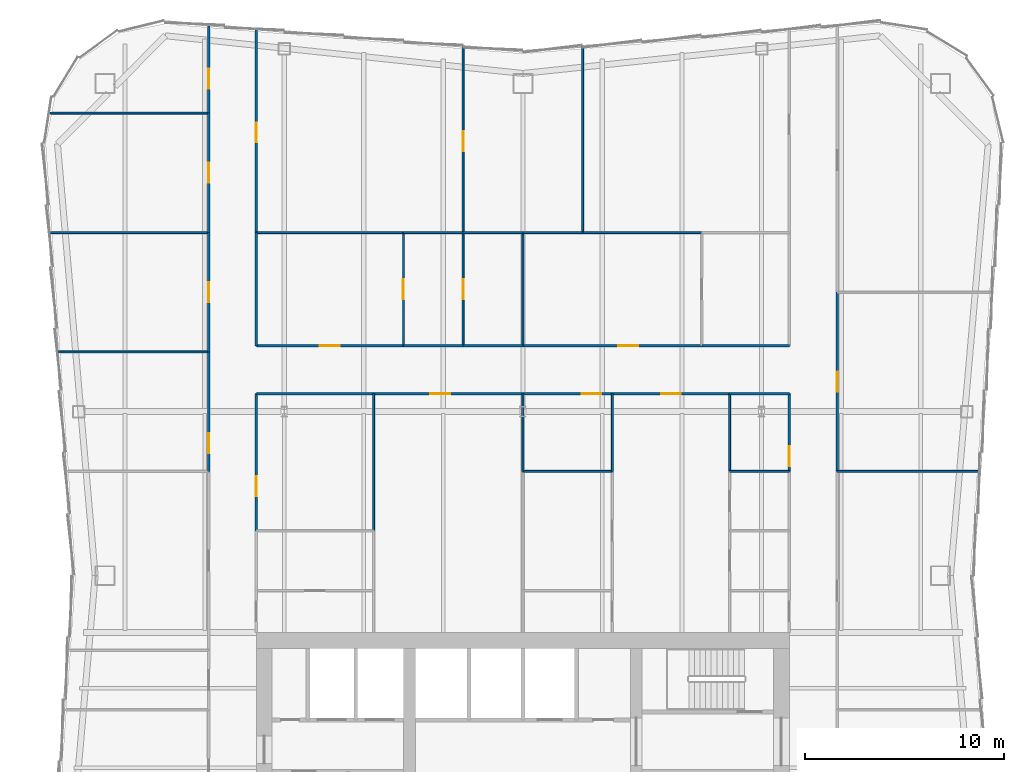
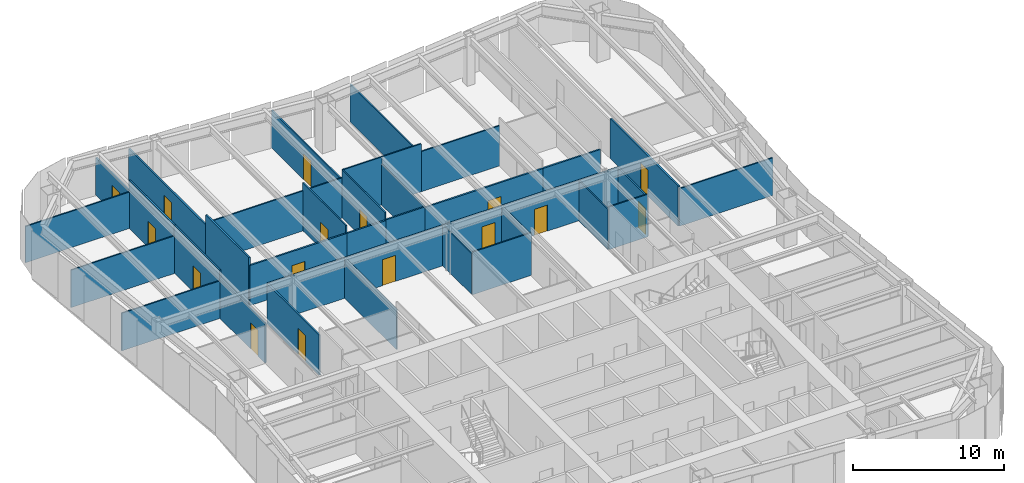
# One storey, part 9 of 12: 39 walls, 16 doors, 16 openings.
"""IFC4 building model written with IfcOpenShell, lengths in metres."""

from ifc_helpers import new_model, si_unit, direction, frame, frame_2d, origin, place, context, subcontext, project, spatial, rectangle, extrude, material, layer, layer_set, type_object, element, fill, save


model = new_model("IFC4")

# Units and contexts
model_context = context("Model", 3, precision=1e-05, world=origin(), true_north=direction((0.0, 1.0)))
body_context = subcontext(model_context, "Body", "Model", "MODEL_VIEW")
ifc_project = project(units=[si_unit("LENGTHUNIT", "METRE"), si_unit("AREAUNIT", "SQUARE_METRE"), si_unit("VOLUMEUNIT", "CUBIC_METRE"), si_unit("PLANEANGLEUNIT", "RADIAN"), si_unit("MASSUNIT", "GRAM", prefix="KILO")], contexts=[model_context])

# Site, building, storey
site_placement = place(None, origin())
site = spatial("IfcSite", under=ifc_project, at=site_placement, CompositionType="ELEMENT")
building_placement = place(site_placement, origin())
building = spatial("IfcBuilding", under=site, at=building_placement, Name="Verdant Reach Tower", CompositionType="ELEMENT")
storey_placement = place(building_placement, frame((0.0, 0.0, 270.0)))
storey = spatial("IfcBuildingStorey", under=building, at=storey_placement, Name="L62", CompositionType="ELEMENT", Elevation=270.0)

# Walls
ifc_material_1 = material(Name="Gypsum board on steel studs", Category="steel")
ifc_layer_1 = layer(ifc_material_1, 0.10009765625)
ifc_layer_set_1 = layer_set([ifc_layer_1], Name="FL-W1 Partition 100")
wall_type_1 = type_object("IfcWallType", Name="FL-W1 Partition 100", PredefinedType="PARTITIONING", material=ifc_layer_set_1)
wall_1_placement = place(storey_placement, frame((-15.800048828125, 52.5, 0.0), z_axis=(0.0, 0.0, 1.0), x_axis=(-1.0, 0.0, 0.0)))
element("IfcWall", 1, at=wall_1_placement, inside=storey, type_object=wall_type_1, Name="Partition 62.46", PredefinedType="PARTITIONING", context=body_context, shape_type="SweptSolid", body=[
    extrude(rectangle(XDim=7.555908203125, YDim=0.10009765625, at=frame_2d((3.77783203125, 0.0))), origin(), (0.0, 0.0, 1.0), 3.0400390625),
])
wall_2_placement = place(storey_placement, frame((-15.800048828125, 58.5, 0.0), z_axis=(0.0, 0.0, 1.0), x_axis=(-1.0, 0.0, 0.0)))
element("IfcWall", 2, at=wall_2_placement, inside=storey, type_object=wall_type_1, Name="Partition 62.47", PredefinedType="PARTITIONING", context=body_context, shape_type="SweptSolid", body=[
    extrude(rectangle(XDim=7.9697265625, YDim=0.10009765625, at=frame_2d((3.98486328125, 0.0))), origin(), (0.0, 0.0, 1.0), 3.0400390625),
])
wall_3_placement = place(storey_placement, frame((-15.800048828125, 64.5, 0.0), z_axis=(0.0, 0.0, 1.0), x_axis=(-1.0, 0.0, 0.0)))
element("IfcWall", 3, at=wall_3_placement, inside=storey, type_object=wall_type_1, Name="Partition 62.48", PredefinedType="PARTITIONING", context=body_context, shape_type="SweptSolid", body=[
    extrude(rectangle(XDim=7.9814453125, YDim=0.10009765625, at=frame_2d((3.99072265625, 0.0))), origin(), (0.0, 0.0, 1.0), 2.929931640625),
])
wall_4_placement = place(storey_placement, frame((22.942138671875, 46.5, 0.0), z_axis=(0.0, 0.0, 1.0), x_axis=(-1.0, 0.0, 0.0)))
element("IfcWall", 4, at=wall_4_placement, inside=storey, type_object=wall_type_1, Name="Partition 62.54", PredefinedType="PARTITIONING", context=body_context, shape_type="SweptSolid", body=[
    extrude(rectangle(XDim=7.14208984375, YDim=0.10009765625, at=frame_2d((3.571044921875, 0.0))), origin(), (0.0, 0.0, 1.0), 3.0400390625),
])
wall_5_placement = place(storey_placement, frame((-7.5, 43.49609375, 0.0), z_axis=(0.0, 0.0, 1.0), x_axis=(0.0, 1.0, 0.0)))
element("IfcWall", 5, at=wall_5_placement, inside=storey, type_object=wall_type_1, Name="Partition 62.63", PredefinedType="PARTITIONING", context=body_context, shape_type="SweptSolid", body=[
    extrude(rectangle(XDim=6.90380859375, YDim=0.10009765625, at=frame_2d((3.451904296875, 0.0))), origin(), (0.0, 0.0, 1.0), 3.239990234375),
])
wall_6_placement = place(storey_placement, frame((0.0, 46.5, 0.0), z_axis=(0.0, 0.0, 1.0), x_axis=(0.0, 1.0, 0.0)))
element("IfcWall", 6, at=wall_6_placement, inside=storey, type_object=wall_type_1, Name="Partition 62.66", PredefinedType="PARTITIONING", context=body_context, shape_type="SweptSolid", body=[
    extrude(rectangle(XDim=3.89990234375, YDim=0.10009765625, at=frame_2d((1.949951171875, 0.0))), origin(), (0.0, 0.0, 1.0), 3.2900390625),
])
wall_7_placement = place(storey_placement, frame((13.39990234375, 46.5, 0.0), z_axis=(0.0, 0.0, 1.0), x_axis=(-1.0, 0.0, 0.0)))
element("IfcWall", 7, at=wall_7_placement, inside=storey, type_object=wall_type_1, Name="Partition 62.71", PredefinedType="PARTITIONING", context=body_context, shape_type="SweptSolid", body=[
    extrude(rectangle(XDim=3.0, YDim=0.10009765625, at=frame_2d((1.5, 0.0))), origin(), (0.0, 0.0, 1.0), 3.43994140625),
])
wall_8_placement = place(storey_placement, frame((10.39990234375, 50.39990234375, 0.0), z_axis=(0.0, 0.0, 1.0), x_axis=(0.0, -1.0, 0.0)))
element("IfcWall", 8, at=wall_8_placement, inside=storey, type_object=wall_type_1, Name="Partition 62.73", PredefinedType="PARTITIONING", context=body_context, shape_type="SweptSolid", body=[
    extrude(rectangle(XDim=3.90380859375, YDim=0.10009765625, at=frame_2d((1.951904296875, 0.0))), origin(), (0.0, 0.0, 1.0), 3.239990234375),
])
wall_9_placement = place(storey_placement, frame((4.5, 50.39990234375, 0.0), z_axis=(0.0, 0.0, 1.0), x_axis=(0.0, -1.0, 0.0)))
element("IfcWall", 9, at=wall_9_placement, inside=storey, type_object=wall_type_1, Name="Partition 62.76", PredefinedType="PARTITIONING", context=body_context, shape_type="SweptSolid", body=[
    extrude(rectangle(XDim=3.89990234375, YDim=0.10009765625, at=frame_2d((1.949951171875, 0.0))), origin(), (0.0, 0.0, 1.0), 3.239990234375),
])
wall_10_placement = place(storey_placement, frame((4.5, 46.5, 0.0), z_axis=(0.0, 0.0, 1.0), x_axis=(-1.0, 0.0, 0.0)))
element("IfcWall", 10, at=wall_10_placement, inside=storey, type_object=wall_type_1, Name="Partition 62.78", PredefinedType="PARTITIONING", context=body_context, shape_type="SweptSolid", body=[
    extrude(rectangle(XDim=4.5, YDim=0.10009765625, at=frame_2d((2.25, 0.0))), origin(), (0.0, 0.0, 1.0), 3.43994140625),
])

# Wall, opening, door
wall_11_placement = place(storey_placement, frame((-6.0, 58.5, 0.0), z_axis=(0.0, 0.0, 1.0), x_axis=(0.0, -1.0, 0.0)))
wall_11 = element("IfcWall", 11, at=wall_11_placement, inside=storey, type_object=wall_type_1, Name="Partition 62.79", PredefinedType="PARTITIONING", context=body_context, shape_type="SweptSolid", body=[
    extrude(rectangle(XDim=5.699951171875, YDim=0.10009765625, at=frame_2d((2.85009765625, 0.0))), origin(), (0.0, 0.0, 1.0), 3.8701171875),
])
opening_1_placement = place(wall_11_placement, frame((2.35009765625, 0.0, 0.0)))
opening_1 = element("IfcOpeningElement", 12, at=opening_1_placement, cuts=wall_11, Name="Opening D3", PredefinedType="OPENING", context=body_context, shape_type="SweptSolid", body=[
    extrude(rectangle(XDim=1.0, YDim=2.10009765625, at=frame_2d((0.5, 1.050048828125))), frame((0.0, 0.06005859375, 0.0), z_axis=(0.0, -1.0, 0.0), x_axis=(1.0, 0.0, 0.0)), (0.0, 0.0, 1.0), 0.1201171875),
])
ifc_material_2 = material(Name="Painted timber door leaf", Category="wood")
door_type_1 = type_object("IfcDoorType", Name="FL-D3 Door 1000x2100", OperationType="NOTDEFINED", PredefinedType="DOOR", material=ifc_material_2)
door_1_placement = place(opening_1_placement, origin())
door_1 = element("IfcDoor", 13, at=door_1_placement, inside=storey, type_object=door_type_1, Name="Door 62-038", OperationType="SINGLE_SWING_RIGHT", OverallHeight=2.10009765625, OverallWidth=1.0, PredefinedType="DOOR", context=body_context, shape_type="SweptSolid", body=[
    extrude(rectangle(XDim=1.0, YDim=2.10009765625, at=frame_2d((0.5, 1.050048828125))), frame((0.0, 0.02490234375, 0.0), z_axis=(0.0, -1.0, 0.0), x_axis=(1.0, 0.0, 0.0)), (0.0, 0.0, 1.0), 0.050048828125),
])
fill(opening_1, door_1)

# Wall
wall_12_placement = place(storey_placement, frame((-5.99609375, 58.5, 0.0), z_axis=(0.0, 0.0, 1.0), x_axis=(-1.0, 0.0, 0.0)))
element("IfcWall", 14, at=wall_12_placement, inside=storey, type_object=wall_type_1, Name="Partition 62.80", PredefinedType="PARTITIONING", context=body_context, shape_type="SweptSolid", body=[
    extrude(rectangle(XDim=7.40380859375, YDim=0.10009765625, at=frame_2d((3.701904296875, 0.0))), origin(), (0.0, 0.0, 1.0), 3.239990234375),
])

# Wall, opening, door
wall_13_placement = place(storey_placement, frame((-3.0, 58.5, 0.0), z_axis=(0.0, 0.0, 1.0), x_axis=(0.0, -1.0, 0.0)))
wall_13 = element("IfcWall", 15, at=wall_13_placement, inside=storey, type_object=wall_type_1, Name="Partition 62.81", PredefinedType="PARTITIONING", context=body_context, shape_type="SweptSolid", body=[
    extrude(rectangle(XDim=5.699951171875, YDim=0.10009765625, at=frame_2d((2.85009765625, 0.0))), origin(), (0.0, 0.0, 1.0), 3.8701171875),
])
opening_2_placement = place(wall_13_placement, frame((2.35009765625, 0.0, 0.0)))
opening_2 = element("IfcOpeningElement", 16, at=opening_2_placement, cuts=wall_13, Name="Opening D3", PredefinedType="OPENING", context=body_context, shape_type="SweptSolid", body=[
    extrude(rectangle(XDim=1.0, YDim=2.10009765625, at=frame_2d((0.5, 1.050048828125))), frame((0.0, 0.06005859375, 0.0), z_axis=(0.0, -1.0, 0.0), x_axis=(1.0, 0.0, 0.0)), (0.0, 0.0, 1.0), 0.1201171875),
])
door_2_placement = place(opening_2_placement, origin())
door_2 = element("IfcDoor", 17, at=door_2_placement, inside=storey, type_object=door_type_1, Name="Door 62-039", OperationType="SINGLE_SWING_LEFT", OverallHeight=2.10009765625, OverallWidth=1.0, PredefinedType="DOOR", context=body_context, shape_type="SweptSolid", body=[
    extrude(rectangle(XDim=1.0, YDim=2.10009765625, at=frame_2d((0.5, 1.050048828125))), frame((0.0, 0.02490234375, 0.0), z_axis=(0.0, -1.0, 0.0), x_axis=(1.0, 0.0, 0.0)), (0.0, 0.0, 1.0), 0.050048828125),
])
fill(opening_2, door_2)

# Walls
wall_14_placement = place(storey_placement, frame((-3.0, 58.5, 0.0), z_axis=(0.0, 0.0, 1.0), x_axis=(-1.0, 0.0, 0.0)))
element("IfcWall", 18, at=wall_14_placement, inside=storey, type_object=wall_type_1, Name="Partition 62.82", PredefinedType="PARTITIONING", context=body_context, shape_type="SweptSolid", body=[
    extrude(rectangle(XDim=3.00390625, YDim=0.10009765625, at=frame_2d((1.501953125, 0.0))), origin(), (0.0, 0.0, 1.0), 3.239990234375),
])
wall_15_placement = place(storey_placement, frame((0.0, 52.800048828125, 0.0), z_axis=(0.0, 0.0, 1.0), x_axis=(0.0, 1.0, 0.0)))
element("IfcWall", 19, at=wall_15_placement, inside=storey, type_object=wall_type_1, Name="Partition 62.83", PredefinedType="PARTITIONING", context=body_context, shape_type="SweptSolid", body=[
    extrude(rectangle(XDim=5.699951171875, YDim=0.10009765625, at=frame_2d((2.85009765625, 0.0))), origin(), (0.0, 0.0, 1.0), 3.2900390625),
])
for number, where, z_axis, x_axis, name in (
    (20, (0.00390625, 58.5, 0.0), (0.0, 0.0, 1.0), (-1.0, 0.0, 0.0), "Partition 62.84"),
    (21, (3.0, 58.5, 0.0), (0.0, 0.0, 1.0), (-1.0, 0.0, 0.0), "Partition 62.86"),
):
    element("IfcWall", number, at=place(storey_placement, frame(where, z_axis=z_axis, x_axis=x_axis)), inside=storey, type_object=wall_type_1, Name=name, PredefinedType="PARTITIONING", context=body_context, shape_type="SweptSolid", body=[
        extrude(rectangle(XDim=3.00390625, YDim=0.10009765625, at=frame_2d((1.501953125, 0.0))), origin(), (0.0, 0.0, 1.0), 3.8701171875),
    ])
wall_16_placement = place(storey_placement, frame((9.00390625, 58.5, 0.0), z_axis=(0.0, 0.0, 1.0), x_axis=(-1.0, 0.0, 0.0)))
element("IfcWall", 22, at=wall_16_placement, inside=storey, type_object=wall_type_1, Name="Partition 62.87", PredefinedType="PARTITIONING", context=body_context, shape_type="SweptSolid", body=[
    extrude(rectangle(XDim=6.00390625, YDim=0.10009765625, at=frame_2d((3.001953125, 0.0))), origin(), (0.0, 0.0, 1.0), 3.239990234375),
])

# Wall, opening, door
wall_17_placement = place(storey_placement, frame((-3.0, 67.830078125, 0.0), z_axis=(0.0, 0.0, 1.0), x_axis=(0.0, -1.0, 0.0)))
wall_17 = element("IfcWall", 23, at=wall_17_placement, inside=storey, type_object=wall_type_1, Name="Partition 62.89", PredefinedType="PARTITIONING", context=body_context, shape_type="SweptSolid", body=[
    extrude(rectangle(XDim=9.330078125, YDim=0.10009765625, at=frame_2d((4.6650390625, 0.0))), origin(), (0.0, 0.0, 1.0), 3.0400390625),
])
opening_3_placement = place(wall_17_placement, frame((4.22998046875, 0.0, 0.0)))
opening_3 = element("IfcOpeningElement", 24, at=opening_3_placement, cuts=wall_17, Name="Opening D3", PredefinedType="OPENING", context=body_context, shape_type="SweptSolid", body=[
    extrude(rectangle(XDim=1.0, YDim=2.10009765625, at=frame_2d((0.5, 1.050048828125))), frame((0.0, 0.06005859375, 0.0), z_axis=(0.0, -1.0, 0.0), x_axis=(1.0, 0.0, 0.0)), (0.0, 0.0, 1.0), 0.1201171875),
])
door_3_placement = place(opening_3_placement, origin())
door_3 = element("IfcDoor", 25, at=door_3_placement, inside=storey, type_object=door_type_1, Name="Door 62-041", OperationType="SINGLE_SWING_RIGHT", OverallHeight=2.10009765625, OverallWidth=1.0, PredefinedType="DOOR", context=body_context, shape_type="SweptSolid", body=[
    extrude(rectangle(XDim=1.0, YDim=2.10009765625, at=frame_2d((0.5, 1.050048828125))), frame((0.0, 0.02490234375, 0.0), z_axis=(0.0, -1.0, 0.0), x_axis=(1.0, 0.0, 0.0)), (0.0, 0.0, 1.0), 0.050048828125),
])
fill(opening_3, door_3)

# Wall
wall_18_placement = place(storey_placement, frame((3.0, 58.5, 0.0), z_axis=(0.0, 0.0, 1.0), x_axis=(0.0, 1.0, 0.0)))
element("IfcWall", 26, at=wall_18_placement, inside=storey, type_object=wall_type_1, Name="Partition 62.90", PredefinedType="PARTITIONING", context=body_context, shape_type="SweptSolid", body=[
    extrude(rectangle(XDim=9.330078125, YDim=0.10009765625, at=frame_2d((4.6650390625, 0.0))), origin(), (0.0, 0.0, 1.0), 3.0400390625),
])

# Wall, opening, door
ifc_material_3 = material(Name="Gypsum board on steel studs, fire rated", Category="steel")
ifc_layer_2 = layer(ifc_material_3, 0.125)
ifc_layer_set_2 = layer_set([ifc_layer_2], Name="FL-W2 Corridor wall 125")
wall_type_2 = type_object("IfcWallType", Name="FL-W2 Corridor wall 125", PredefinedType="PARTITIONING", material=ifc_layer_set_2)
wall_19_placement = place(storey_placement, frame((-15.800048828125, 46.5, 0.0), z_axis=(0.0, 0.0, 1.0), x_axis=(0.0, 1.0, 0.0)))
wall_19 = element("IfcWall", 27, at=wall_19_placement, inside=storey, type_object=wall_type_2, Name="Partition 62.06", PredefinedType="PARTITIONING", context=body_context, shape_type="SweptSolid", body=[
    extrude(rectangle(XDim=6.0, YDim=0.125, at=frame_2d((3.0, 0.0))), origin(), (0.0, 0.0, 1.0), 3.239990234375),
])
opening_4_placement = place(wall_19_placement, frame((0.89990234375, 0.0, 0.0)))
opening_4 = element("IfcOpeningElement", 28, at=opening_4_placement, cuts=wall_19, Name="Opening D2", PredefinedType="OPENING", context=body_context, shape_type="SweptSolid", body=[
    extrude(rectangle(XDim=1.0, YDim=2.10009765625, at=frame_2d((0.5, 1.050048828125))), frame((0.0, 0.072509765625, 0.0), z_axis=(0.0, -1.0, 0.0), x_axis=(1.0, 0.0, 0.0)), (0.0, 0.0, 1.0), 0.14501953125),
])
ifc_material_4 = material(Name="Timber door leaf, fire rated", Category="wood")
door_type_2 = type_object("IfcDoorType", Name="FL-D2 Entrance door 1000x2100 FD30", OperationType="NOTDEFINED", PredefinedType="DOOR", material=ifc_material_4)
door_4_placement = place(opening_4_placement, origin())
door_4 = element("IfcDoor", 29, at=door_4_placement, inside=storey, type_object=door_type_2, Name="Door 62-006", OperationType="SINGLE_SWING_LEFT", OverallHeight=2.10009765625, OverallWidth=1.0, PredefinedType="DOOR", context=body_context, shape_type="SweptSolid", body=[
    extrude(rectangle(XDim=1.0, YDim=2.10009765625, at=frame_2d((0.5, 1.050048828125))), frame((0.0, 0.02490234375, 0.0), z_axis=(0.0, -1.0, 0.0), x_axis=(1.0, 0.0, 0.0)), (0.0, 0.0, 1.0), 0.050048828125),
])
fill(opening_4, door_4)

wall_20_placement = place(storey_placement, frame((-15.800048828125, 52.5, 0.0), z_axis=(0.0, 0.0, 1.0), x_axis=(0.0, 1.0, 0.0)))
wall_20 = element("IfcWall", 30, at=wall_20_placement, inside=storey, type_object=wall_type_2, Name="Partition 62.07", PredefinedType="PARTITIONING", context=body_context, shape_type="SweptSolid", body=[
    extrude(rectangle(XDim=6.0, YDim=0.125, at=frame_2d((3.0, 0.0))), origin(), (0.0, 0.0, 1.0), 3.8701171875),
])
opening_5_placement = place(wall_20_placement, frame((2.5, 0.0, 0.0)))
opening_5 = element("IfcOpeningElement", 31, at=opening_5_placement, cuts=wall_20, Name="Opening D2", PredefinedType="OPENING", context=body_context, shape_type="SweptSolid", body=[
    extrude(rectangle(XDim=1.0, YDim=2.10009765625, at=frame_2d((0.5, 1.050048828125))), frame((0.0, 0.072509765625, 0.0), z_axis=(0.0, -1.0, 0.0), x_axis=(1.0, 0.0, 0.0)), (0.0, 0.0, 1.0), 0.14501953125),
])
door_5_placement = place(opening_5_placement, origin())
door_5 = element("IfcDoor", 32, at=door_5_placement, inside=storey, type_object=door_type_2, Name="Door 62-007", OperationType="SINGLE_SWING_LEFT", OverallHeight=2.10009765625, OverallWidth=1.0, PredefinedType="DOOR", context=body_context, shape_type="SweptSolid", body=[
    extrude(rectangle(XDim=1.0, YDim=2.10009765625, at=frame_2d((0.5, 1.050048828125))), frame((0.0, 0.02490234375, 0.0), z_axis=(0.0, -1.0, 0.0), x_axis=(1.0, 0.0, 0.0)), (0.0, 0.0, 1.0), 0.050048828125),
])
fill(opening_5, door_5)

wall_21_placement = place(storey_placement, frame((-15.800048828125, 58.5, 0.0), z_axis=(0.0, 0.0, 1.0), x_axis=(0.0, 1.0, 0.0)))
wall_21 = element("IfcWall", 33, at=wall_21_placement, inside=storey, type_object=wall_type_2, Name="Partition 62.08", PredefinedType="PARTITIONING", context=body_context, shape_type="SweptSolid", body=[
    extrude(rectangle(XDim=6.0, YDim=0.125, at=frame_2d((3.0, 0.0))), origin(), (0.0, 0.0, 1.0), 3.8701171875),
])
opening_6_placement = place(wall_21_placement, frame((2.5, 0.0, 0.0)))
opening_6 = element("IfcOpeningElement", 34, at=opening_6_placement, cuts=wall_21, Name="Opening D2", PredefinedType="OPENING", context=body_context, shape_type="SweptSolid", body=[
    extrude(rectangle(XDim=1.0, YDim=2.10009765625, at=frame_2d((0.5, 1.050048828125))), frame((0.0, 0.072509765625, 0.0), z_axis=(0.0, -1.0, 0.0), x_axis=(1.0, 0.0, 0.0)), (0.0, 0.0, 1.0), 0.14501953125),
])
door_6_placement = place(opening_6_placement, origin())
door_6 = element("IfcDoor", 35, at=door_6_placement, inside=storey, type_object=door_type_2, Name="Door 62-008", OperationType="SINGLE_SWING_RIGHT", OverallHeight=2.10009765625, OverallWidth=1.0, PredefinedType="DOOR", context=body_context, shape_type="SweptSolid", body=[
    extrude(rectangle(XDim=1.0, YDim=2.10009765625, at=frame_2d((0.5, 1.050048828125))), frame((0.0, 0.02490234375, 0.0), z_axis=(0.0, -1.0, 0.0), x_axis=(1.0, 0.0, 0.0)), (0.0, 0.0, 1.0), 0.050048828125),
])
fill(opening_6, door_6)

wall_22_placement = place(storey_placement, frame((-15.800048828125, 64.5, 0.0), z_axis=(0.0, 0.0, 1.0), x_axis=(0.0, 1.0, 0.0)))
wall_22 = element("IfcWall", 36, at=wall_22_placement, inside=storey, type_object=wall_type_2, Name="Partition 62.09", PredefinedType="PARTITIONING", context=body_context, shape_type="SweptSolid", body=[
    extrude(rectangle(XDim=4.396728515625, YDim=0.125, at=frame_2d((2.1982421875, 0.0))), origin(), (0.0, 0.0, 1.0), 3.0400390625),
])
opening_7_placement = place(wall_22_placement, frame((1.233154296875, 0.0, 0.0)))
opening_7 = element("IfcOpeningElement", 37, at=opening_7_placement, cuts=wall_22, Name="Opening D2", PredefinedType="OPENING", context=body_context, shape_type="SweptSolid", body=[
    extrude(rectangle(XDim=1.0, YDim=2.10009765625, at=frame_2d((0.5, 1.050048828125))), frame((0.0, 0.072509765625, 0.0), z_axis=(0.0, -1.0, 0.0), x_axis=(1.0, 0.0, 0.0)), (0.0, 0.0, 1.0), 0.14501953125),
])
door_7_placement = place(opening_7_placement, origin())
door_7 = element("IfcDoor", 38, at=door_7_placement, inside=storey, type_object=door_type_2, Name="Door 62-009", OperationType="SINGLE_SWING_LEFT", OverallHeight=2.10009765625, OverallWidth=1.0, PredefinedType="DOOR", context=body_context, shape_type="SweptSolid", body=[
    extrude(rectangle(XDim=1.0, YDim=2.10009765625, at=frame_2d((0.5, 1.050048828125))), frame((0.0, 0.02490234375, 0.0), z_axis=(0.0, -1.0, 0.0), x_axis=(1.0, 0.0, 0.0)), (0.0, 0.0, 1.0), 0.050048828125),
])
fill(opening_7, door_7)

wall_23_placement = place(storey_placement, frame((15.800048828125, 55.5, 0.0), z_axis=(0.0, 0.0, 1.0), x_axis=(0.0, -1.0, 0.0)))
wall_23 = element("IfcWall", 39, at=wall_23_placement, inside=storey, type_object=wall_type_2, Name="Partition 62.16", PredefinedType="PARTITIONING", context=body_context, shape_type="SweptSolid", body=[
    extrude(rectangle(XDim=9.0, YDim=0.125, at=frame_2d((4.5, 0.0))), origin(), (0.0, 0.0, 1.0), 3.239990234375),
])
opening_8_placement = place(wall_23_placement, frame((4.0, 0.0, 0.0)))
opening_8 = element("IfcOpeningElement", 40, at=opening_8_placement, cuts=wall_23, Name="Opening D2", PredefinedType="OPENING", context=body_context, shape_type="SweptSolid", body=[
    extrude(rectangle(XDim=1.0, YDim=2.10009765625, at=frame_2d((0.5, 1.050048828125))), frame((0.0, 0.072509765625, 0.0), z_axis=(0.0, -1.0, 0.0), x_axis=(1.0, 0.0, 0.0)), (0.0, 0.0, 1.0), 0.14501953125),
])
door_8_placement = place(opening_8_placement, origin())
door_8 = element("IfcDoor", 41, at=door_8_placement, inside=storey, type_object=door_type_2, Name="Door 62-016", OperationType="SINGLE_SWING_RIGHT", OverallHeight=2.10009765625, OverallWidth=1.0, PredefinedType="DOOR", context=body_context, shape_type="SweptSolid", body=[
    extrude(rectangle(XDim=1.0, YDim=2.10009765625, at=frame_2d((0.5, 1.050048828125))), frame((0.0, 0.02490234375, 0.0), z_axis=(0.0, -1.0, 0.0), x_axis=(1.0, 0.0, 0.0)), (0.0, 0.0, 1.0), 0.050048828125),
])
fill(opening_8, door_8)

wall_24_placement = place(storey_placement, frame((-13.39990234375, 50.39990234375, 0.0), z_axis=(0.0, 0.0, 1.0), x_axis=(0.0, -1.0, 0.0)))
wall_24 = element("IfcWall", 42, at=wall_24_placement, inside=storey, type_object=wall_type_2, Name="Partition 62.22", PredefinedType="PARTITIONING", context=body_context, shape_type="SweptSolid", body=[
    extrude(rectangle(XDim=6.89990234375, YDim=0.125, at=frame_2d((3.449951171875, 0.0))), origin(), (0.0, 0.0, 1.0), 3.239990234375),
])
opening_9_placement = place(wall_24_placement, frame((4.14990234375, 0.0, 0.0)))
opening_9 = element("IfcOpeningElement", 43, at=opening_9_placement, cuts=wall_24, Name="Opening D2", PredefinedType="OPENING", context=body_context, shape_type="SweptSolid", body=[
    extrude(rectangle(XDim=1.0, YDim=2.10009765625, at=frame_2d((0.5, 1.050048828125))), frame((0.0, 0.072509765625, 0.0), z_axis=(0.0, -1.0, 0.0), x_axis=(1.0, 0.0, 0.0)), (0.0, 0.0, 1.0), 0.14501953125),
])
door_9_placement = place(opening_9_placement, origin())
door_9 = element("IfcDoor", 44, at=door_9_placement, inside=storey, type_object=door_type_2, Name="Door 62-021", OperationType="SINGLE_SWING_RIGHT", OverallHeight=2.10009765625, OverallWidth=1.0, PredefinedType="DOOR", context=body_context, shape_type="SweptSolid", body=[
    extrude(rectangle(XDim=1.0, YDim=2.10009765625, at=frame_2d((0.5, 1.050048828125))), frame((0.0, 0.02490234375, 0.0), z_axis=(0.0, -1.0, 0.0), x_axis=(1.0, 0.0, 0.0)), (0.0, 0.0, 1.0), 0.050048828125),
])
fill(opening_9, door_9)

# Wall
wall_25_placement = place(storey_placement, frame((-7.5, 50.39990234375, 0.0), z_axis=(0.0, 0.0, 1.0), x_axis=(-1.0, 0.0, 0.0)))
element("IfcWall", 45, at=wall_25_placement, inside=storey, type_object=wall_type_2, Name="Partition 62.23", PredefinedType="PARTITIONING", context=body_context, shape_type="SweptSolid", body=[
    extrude(rectangle(XDim=5.89990234375, YDim=0.125, at=frame_2d((2.949951171875, 0.0))), origin(), (0.0, 0.0, 1.0), 3.239990234375),
])

# Wall, opening, door
wall_26_placement = place(storey_placement, frame((0.0, 50.39990234375, 0.0), z_axis=(0.0, 0.0, 1.0), x_axis=(-1.0, 0.0, 0.0)))
wall_26 = element("IfcWall", 46, at=wall_26_placement, inside=storey, type_object=wall_type_2, Name="Partition 62.24", PredefinedType="PARTITIONING", context=body_context, shape_type="SweptSolid", body=[
    extrude(rectangle(XDim=7.5, YDim=0.125, at=frame_2d((3.75, 0.0))), origin(), (0.0, 0.0, 1.0), 3.239990234375),
])
opening_10_placement = place(wall_26_placement, frame((3.64990234375, 0.0, 0.0)))
opening_10 = element("IfcOpeningElement", 47, at=opening_10_placement, cuts=wall_26, Name="Opening D2", PredefinedType="OPENING", context=body_context, shape_type="SweptSolid", body=[
    extrude(rectangle(XDim=1.0, YDim=2.10009765625, at=frame_2d((0.5, 1.050048828125))), frame((0.0, 0.072509765625, 0.0), z_axis=(0.0, -1.0, 0.0), x_axis=(1.0, 0.0, 0.0)), (0.0, 0.0, 1.0), 0.14501953125),
])
door_10_placement = place(opening_10_placement, origin())
door_10 = element("IfcDoor", 48, at=door_10_placement, inside=storey, type_object=door_type_2, Name="Door 62-022", OperationType="SINGLE_SWING_RIGHT", OverallHeight=2.10009765625, OverallWidth=1.0, PredefinedType="DOOR", context=body_context, shape_type="SweptSolid", body=[
    extrude(rectangle(XDim=1.0, YDim=2.10009765625, at=frame_2d((0.5, 1.050048828125))), frame((0.0, 0.02490234375, 0.0), z_axis=(0.0, -1.0, 0.0), x_axis=(1.0, 0.0, 0.0)), (0.0, 0.0, 1.0), 0.050048828125),
])
fill(opening_10, door_10)

# Wall
wall_27_placement = place(storey_placement, frame((13.39990234375, 50.39990234375, 0.0), z_axis=(0.0, 0.0, 1.0), x_axis=(-1.0, 0.0, 0.0)))
element("IfcWall", 49, at=wall_27_placement, inside=storey, type_object=wall_type_2, Name="Partition 62.28", PredefinedType="PARTITIONING", context=body_context, shape_type="SweptSolid", body=[
    extrude(rectangle(XDim=3.0, YDim=0.125, at=frame_2d((1.5, 0.0))), origin(), (0.0, 0.0, 1.0), 3.239990234375),
])

# Wall, opening, door
wall_28_placement = place(storey_placement, frame((13.39990234375, 46.5, 0.0), z_axis=(0.0, 0.0, 1.0), x_axis=(0.0, 1.0, 0.0)))
wall_28 = element("IfcWall", 50, at=wall_28_placement, inside=storey, type_object=wall_type_2, Name="Partition 62.29", PredefinedType="PARTITIONING", context=body_context, shape_type="SweptSolid", body=[
    extrude(rectangle(XDim=3.89990234375, YDim=0.125, at=frame_2d((1.949951171875, 0.0))), origin(), (0.0, 0.0, 1.0), 3.239990234375),
])
opening_11_placement = place(wall_28_placement, frame((0.25, 0.0, 0.0)))
opening_11 = element("IfcOpeningElement", 51, at=opening_11_placement, cuts=wall_28, Name="Opening D2", PredefinedType="OPENING", context=body_context, shape_type="SweptSolid", body=[
    extrude(rectangle(XDim=1.0, YDim=2.10009765625, at=frame_2d((0.5, 1.050048828125))), frame((0.0, 0.072509765625, 0.0), z_axis=(0.0, -1.0, 0.0), x_axis=(1.0, 0.0, 0.0)), (0.0, 0.0, 1.0), 0.14501953125),
])
door_11_placement = place(opening_11_placement, origin())
door_11 = element("IfcDoor", 52, at=door_11_placement, inside=storey, type_object=door_type_2, Name="Door 62-024", OperationType="SINGLE_SWING_LEFT", OverallHeight=2.10009765625, OverallWidth=1.0, PredefinedType="DOOR", context=body_context, shape_type="SweptSolid", body=[
    extrude(rectangle(XDim=1.0, YDim=2.10009765625, at=frame_2d((0.5, 1.050048828125))), frame((0.0, 0.02490234375, 0.0), z_axis=(0.0, -1.0, 0.0), x_axis=(1.0, 0.0, 0.0)), (0.0, 0.0, 1.0), 0.050048828125),
])
fill(opening_11, door_11)

wall_29_placement = place(storey_placement, frame((10.39990234375, 50.39990234375, 0.0), z_axis=(0.0, 0.0, 1.0), x_axis=(-1.0, 0.0, 0.0)))
wall_29 = element("IfcWall", 53, at=wall_29_placement, inside=storey, type_object=wall_type_2, Name="Partition 62.30", PredefinedType="PARTITIONING", context=body_context, shape_type="SweptSolid", body=[
    extrude(rectangle(XDim=5.89990234375, YDim=0.125, at=frame_2d((2.949951171875, 0.0))), origin(), (0.0, 0.0, 1.0), 3.239990234375),
])
opening_12_placement = place(wall_29_placement, frame((2.449951171875, 0.0, 0.0)))
opening_12 = element("IfcOpeningElement", 54, at=opening_12_placement, cuts=wall_29, Name="Opening D2", PredefinedType="OPENING", context=body_context, shape_type="SweptSolid", body=[
    extrude(rectangle(XDim=1.0, YDim=2.10009765625, at=frame_2d((0.5, 1.050048828125))), frame((0.0, 0.072509765625, 0.0), z_axis=(0.0, -1.0, 0.0), x_axis=(1.0, 0.0, 0.0)), (0.0, 0.0, 1.0), 0.14501953125),
])
door_12_placement = place(opening_12_placement, origin())
door_12 = element("IfcDoor", 55, at=door_12_placement, inside=storey, type_object=door_type_2, Name="Door 62-025", OperationType="SINGLE_SWING_LEFT", OverallHeight=2.10009765625, OverallWidth=1.0, PredefinedType="DOOR", context=body_context, shape_type="SweptSolid", body=[
    extrude(rectangle(XDim=1.0, YDim=2.10009765625, at=frame_2d((0.5, 1.050048828125))), frame((0.0, 0.02490234375, 0.0), z_axis=(0.0, -1.0, 0.0), x_axis=(1.0, 0.0, 0.0)), (0.0, 0.0, 1.0), 0.050048828125),
])
fill(opening_12, door_12)

wall_30_placement = place(storey_placement, frame((4.5, 50.39990234375, 0.0), z_axis=(0.0, 0.0, 1.0), x_axis=(-1.0, 0.0, 0.0)))
wall_30 = element("IfcWall", 56, at=wall_30_placement, inside=storey, type_object=wall_type_2, Name="Partition 62.31", PredefinedType="PARTITIONING", context=body_context, shape_type="SweptSolid", body=[
    extrude(rectangle(XDim=4.5, YDim=0.125, at=frame_2d((2.25, 0.0))), origin(), (0.0, 0.0, 1.0), 3.239990234375),
])
opening_13_placement = place(wall_30_placement, frame((0.550048828125, 0.0, 0.0)))
opening_13 = element("IfcOpeningElement", 57, at=opening_13_placement, cuts=wall_30, Name="Opening D2", PredefinedType="OPENING", context=body_context, shape_type="SweptSolid", body=[
    extrude(rectangle(XDim=1.0, YDim=2.10009765625, at=frame_2d((0.5, 1.050048828125))), frame((0.0, 0.072509765625, 0.0), z_axis=(0.0, -1.0, 0.0), x_axis=(1.0, 0.0, 0.0)), (0.0, 0.0, 1.0), 0.14501953125),
])
door_13_placement = place(opening_13_placement, origin())
door_13 = element("IfcDoor", 58, at=door_13_placement, inside=storey, type_object=door_type_2, Name="Door 62-026", OperationType="SINGLE_SWING_LEFT", OverallHeight=2.10009765625, OverallWidth=1.0, PredefinedType="DOOR", context=body_context, shape_type="SweptSolid", body=[
    extrude(rectangle(XDim=1.0, YDim=2.10009765625, at=frame_2d((0.5, 1.050048828125))), frame((0.0, 0.02490234375, 0.0), z_axis=(0.0, -1.0, 0.0), x_axis=(1.0, 0.0, 0.0)), (0.0, 0.0, 1.0), 0.050048828125),
])
fill(opening_13, door_13)

wall_31_placement = place(storey_placement, frame((-13.39990234375, 52.800048828125, 0.0), z_axis=(0.0, 0.0, 1.0), x_axis=(1.0, 0.0, 0.0)))
wall_31 = element("IfcWall", 59, at=wall_31_placement, inside=storey, type_object=wall_type_2, Name="Partition 62.32", PredefinedType="PARTITIONING", context=body_context, shape_type="SweptSolid", body=[
    extrude(rectangle(XDim=7.39990234375, YDim=0.125, at=frame_2d((3.699951171875, 0.0))), origin(), (0.0, 0.0, 1.0), 3.239990234375),
])
opening_14_placement = place(wall_31_placement, frame((3.199951171875, 0.0, 0.0)))
opening_14 = element("IfcOpeningElement", 60, at=opening_14_placement, cuts=wall_31, Name="Opening D2", PredefinedType="OPENING", context=body_context, shape_type="SweptSolid", body=[
    extrude(rectangle(XDim=1.0, YDim=2.10009765625, at=frame_2d((0.5, 1.050048828125))), frame((0.0, 0.072509765625, 0.0), z_axis=(0.0, -1.0, 0.0), x_axis=(1.0, 0.0, 0.0)), (0.0, 0.0, 1.0), 0.14501953125),
])
door_14_placement = place(opening_14_placement, origin())
door_14 = element("IfcDoor", 61, at=door_14_placement, inside=storey, type_object=door_type_2, Name="Door 62-027", OperationType="SINGLE_SWING_LEFT", OverallHeight=2.10009765625, OverallWidth=1.0, PredefinedType="DOOR", context=body_context, shape_type="SweptSolid", body=[
    extrude(rectangle(XDim=1.0, YDim=2.10009765625, at=frame_2d((0.5, 1.050048828125))), frame((0.0, 0.02490234375, 0.0), z_axis=(0.0, -1.0, 0.0), x_axis=(1.0, 0.0, 0.0)), (0.0, 0.0, 1.0), 0.050048828125),
])
fill(opening_14, door_14)

# Walls
wall_32_placement = place(storey_placement, frame((-13.39990234375, 52.800048828125, 0.0), z_axis=(0.0, 0.0, 1.0), x_axis=(0.0, 1.0, 0.0)))
element("IfcWall", 62, at=wall_32_placement, inside=storey, type_object=wall_type_2, Name="Partition 62.33", PredefinedType="PARTITIONING", context=body_context, shape_type="SweptSolid", body=[
    extrude(rectangle(XDim=5.699951171875, YDim=0.125, at=frame_2d((2.85009765625, 0.0))), origin(), (0.0, 0.0, 1.0), 3.8701171875),
])
wall_33_placement = place(storey_placement, frame((-3.0, 52.800048828125, 0.0), z_axis=(0.0, 0.0, 1.0), x_axis=(-1.0, 0.0, 0.0)))
element("IfcWall", 63, at=wall_33_placement, inside=storey, type_object=wall_type_2, Name="Partition 62.34", PredefinedType="PARTITIONING", context=body_context, shape_type="SweptSolid", body=[
    extrude(rectangle(XDim=3.0, YDim=0.125, at=frame_2d((1.5, 0.0))), origin(), (0.0, 0.0, 1.0), 3.239990234375),
])
wall_34_placement = place(storey_placement, frame((0.0, 52.800048828125, 0.0), z_axis=(0.0, 0.0, 1.0), x_axis=(-1.0, 0.0, 0.0)))
element("IfcWall", 64, at=wall_34_placement, inside=storey, type_object=wall_type_2, Name="Partition 62.35", PredefinedType="PARTITIONING", context=body_context, shape_type="SweptSolid", body=[
    extrude(rectangle(XDim=3.0, YDim=0.125, at=frame_2d((1.5, 0.0))), origin(), (0.0, 0.0, 1.0), 3.2900390625),
])

# Wall, opening, door
wall_35_placement = place(storey_placement, frame((0.0, 52.800048828125, 0.0), z_axis=(0.0, 0.0, 1.0), x_axis=(1.0, 0.0, 0.0)))
wall_35 = element("IfcWall", 65, at=wall_35_placement, inside=storey, type_object=wall_type_2, Name="Partition 62.36", PredefinedType="PARTITIONING", context=body_context, shape_type="SweptSolid", body=[
    extrude(rectangle(XDim=9.0, YDim=0.125, at=frame_2d((4.5, 0.0))), origin(), (0.0, 0.0, 1.0), 3.239990234375),
])
opening_15_placement = place(wall_35_placement, frame((4.800048828125, 0.0, 0.0)))
opening_15 = element("IfcOpeningElement", 66, at=opening_15_placement, cuts=wall_35, Name="Opening D2", PredefinedType="OPENING", context=body_context, shape_type="SweptSolid", body=[
    extrude(rectangle(XDim=1.0, YDim=2.10009765625, at=frame_2d((0.5, 1.050048828125))), frame((0.0, 0.072509765625, 0.0), z_axis=(0.0, -1.0, 0.0), x_axis=(1.0, 0.0, 0.0)), (0.0, 0.0, 1.0), 0.14501953125),
])
door_15_placement = place(opening_15_placement, origin())
door_15 = element("IfcDoor", 67, at=door_15_placement, inside=storey, type_object=door_type_2, Name="Door 62-028", OperationType="SINGLE_SWING_RIGHT", OverallHeight=2.10009765625, OverallWidth=1.0, PredefinedType="DOOR", context=body_context, shape_type="SweptSolid", body=[
    extrude(rectangle(XDim=1.0, YDim=2.10009765625, at=frame_2d((0.5, 1.050048828125))), frame((0.0, 0.02490234375, 0.0), z_axis=(0.0, -1.0, 0.0), x_axis=(1.0, 0.0, 0.0)), (0.0, 0.0, 1.0), 0.050048828125),
])
fill(opening_15, door_15)

# Wall
wall_36_placement = place(storey_placement, frame((13.39990234375, 52.800048828125, 0.0), z_axis=(0.0, 0.0, 1.0), x_axis=(-1.0, 0.0, 0.0)))
element("IfcWall", 68, at=wall_36_placement, inside=storey, type_object=wall_type_2, Name="Partition 62.38", PredefinedType="PARTITIONING", context=body_context, shape_type="SweptSolid", body=[
    extrude(rectangle(XDim=4.39990234375, YDim=0.125, at=frame_2d((2.199951171875, 0.0))), origin(), (0.0, 0.0, 1.0), 3.239990234375),
])

# Wall, opening, door
wall_37_placement = place(storey_placement, frame((-13.39990234375, 68.69677734375, 0.0), z_axis=(0.0, 0.0, 1.0), x_axis=(0.0, -1.0, 0.0)))
wall_37 = element("IfcWall", 69, at=wall_37_placement, inside=storey, type_object=wall_type_2, Name="Partition 62.39", PredefinedType="PARTITIONING", context=body_context, shape_type="SweptSolid", body=[
    extrude(rectangle(XDim=10.19677734375, YDim=0.125, at=frame_2d((5.098388671875, 0.0))), origin(), (0.0, 0.0, 1.0), 3.0400390625),
])
opening_16_placement = place(wall_37_placement, frame((4.663330078125, 0.0, 0.0)))
opening_16 = element("IfcOpeningElement", 70, at=opening_16_placement, cuts=wall_37, Name="Opening D2", PredefinedType="OPENING", context=body_context, shape_type="SweptSolid", body=[
    extrude(rectangle(XDim=1.0, YDim=2.10009765625, at=frame_2d((0.5, 1.050048828125))), frame((0.0, 0.072509765625, 0.0), z_axis=(0.0, -1.0, 0.0), x_axis=(1.0, 0.0, 0.0)), (0.0, 0.0, 1.0), 0.14501953125),
])
door_16_placement = place(opening_16_placement, origin())
door_16 = element("IfcDoor", 71, at=door_16_placement, inside=storey, type_object=door_type_2, Name="Door 62-029", OperationType="SINGLE_SWING_RIGHT", OverallHeight=2.10009765625, OverallWidth=1.0, PredefinedType="DOOR", context=body_context, shape_type="SweptSolid", body=[
    extrude(rectangle(XDim=1.0, YDim=2.10009765625, at=frame_2d((0.5, 1.050048828125))), frame((0.0, 0.02490234375, 0.0), z_axis=(0.0, -1.0, 0.0), x_axis=(1.0, 0.0, 0.0)), (0.0, 0.0, 1.0), 0.050048828125),
])
fill(opening_16, door_16)

save(model, "model.ifc")
